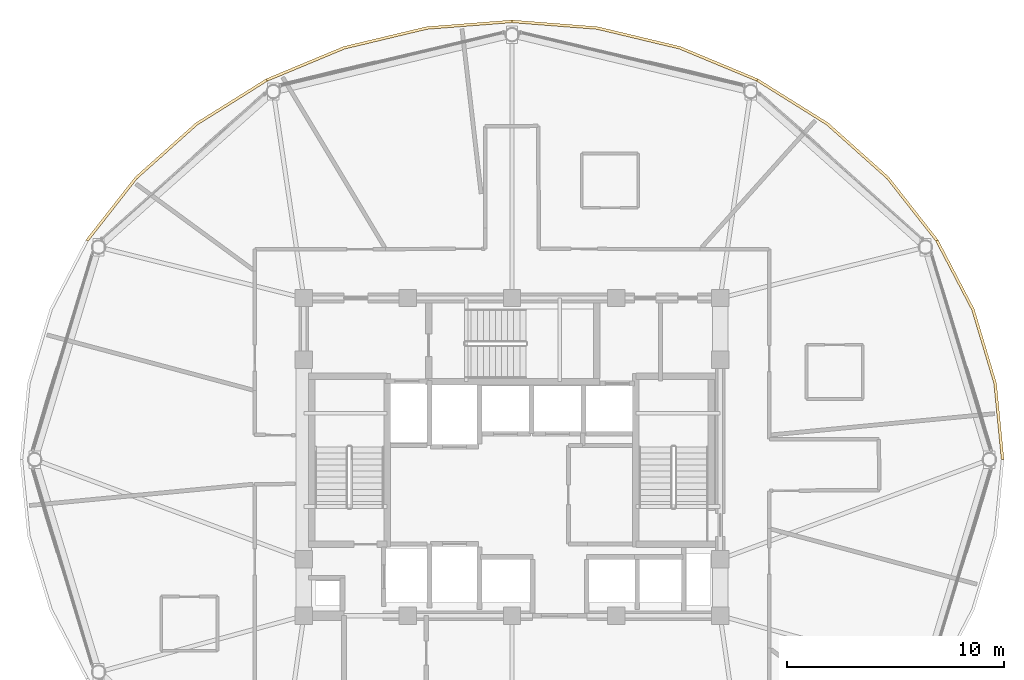
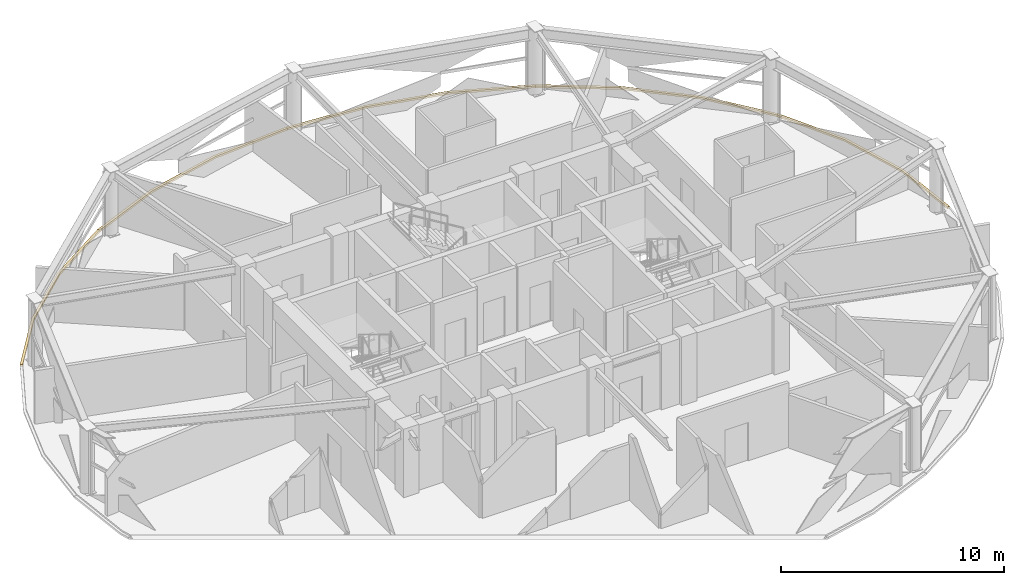
# One storey, part 28 of 28: 5 coverings.
"""IFC4 building model written with IfcOpenShell, lengths in metres."""

from ifc_helpers import new_model, si_unit, direction, frame, origin, place, context, subcontext, project, spatial, polyline, outline, extrude, material, layer, layer_set, type_object, element, save


model = new_model("IFC4")

# Units and contexts
model_context = context("Model", 3, precision=1e-05, world=origin(), true_north=direction((0.0, 1.0)))
body_context = subcontext(model_context, "Body", "Model", "MODEL_VIEW")
ifc_project = project(units=[si_unit("LENGTHUNIT", "METRE"), si_unit("AREAUNIT", "SQUARE_METRE"), si_unit("VOLUMEUNIT", "CUBIC_METRE"), si_unit("PLANEANGLEUNIT", "RADIAN"), si_unit("MASSUNIT", "GRAM", prefix="KILO")], contexts=[model_context])

# Site, building, storey
site_placement = place(None, origin())
site = spatial("IfcSite", under=ifc_project, at=site_placement, CompositionType="ELEMENT")
building_placement = place(site_placement, origin())
building = spatial("IfcBuilding", under=site, at=building_placement, Name="Vantalir Tower", CompositionType="ELEMENT")
storey_placement = place(building_placement, frame((0.0, 0.0, 223.64990234375)))
storey = spatial("IfcBuildingStorey", under=building, at=storey_placement, Name="L56", CompositionType="ELEMENT", Elevation=223.64990234375)

# Coverings
ifc_material = material(Name="Anodised champagne aluminium sill fascia", Category="aluminium")
ifc_layer = layer(ifc_material, 0.125)
ifc_layer_set = layer_set([ifc_layer], Name="Anodised champagne aluminium sill fascia")
covering_type = type_object("IfcCoveringType", Name="COV-SLAB-FASCIA-125", PredefinedType="CLADDING", material=ifc_layer_set)
covering_1_placement = place(storey_placement, frame((0.0, 0.0, -0.179931640625)))
element("IfcCovering", 1, at=covering_1_placement, inside=storey, type_object=covering_type, Name="L56 Perimeter Slab-Edge Sill Fascia 01", PredefinedType="CLADDING", context=body_context, shape_type="SweptSolid", body=[
    extrude(outline(polyline([(54.18798828125, 25.0), (53.843017578125, 28.52001953125), (52.820068359375, 31.93310546875), (51.14794921875, 35.135009765625), (51.0400390625, 35.072998046875), (52.701904296875, 31.889892578125), (53.719970703125, 28.498046875), (54.06298828125, 25.0), (54.18798828125, 25.0)])), origin(), (0.0, 0.0, 1.0), 0.10498046875),
])
covering_2_placement = place(storey_placement, frame((0.0, 0.0, -0.179931640625)))
element("IfcCovering", 2, at=covering_2_placement, inside=storey, type_object=covering_type, Name="L56 Perimeter Slab-Edge Sill Fascia 02", PredefinedType="CLADDING", context=body_context, shape_type="SweptSolid", body=[
    extrude(outline(polyline([(51.14794921875, 35.135009765625), (48.8798828125, 38.030029296875), (46.083984375, 40.528076171875), (42.843994140625, 42.554931640625), (42.781982421875, 42.447021484375), (46.0029296875, 40.43310546875), (48.783935546875, 37.949951171875), (51.0400390625, 35.072998046875), (51.14794921875, 35.135009765625)])), origin(), (0.0, 0.0, 1.0), 0.10498046875),
])
covering_3_placement = place(storey_placement, frame((0.0, 0.0, -0.179931640625)))
element("IfcCovering", 3, at=covering_3_placement, inside=storey, type_object=covering_type, Name="L56 Perimeter Slab-Edge Sill Fascia 03", PredefinedType="CLADDING", context=body_context, shape_type="SweptSolid", body=[
    extrude(outline(polyline([(42.843994140625, 42.554931640625), (39.260009765625, 44.049072265625), (35.43994140625, 44.962890625), (31.5, 45.27099609375), (31.5, 45.14599609375), (35.41796875, 44.840087890625), (39.217041015625, 43.930908203125), (42.781982421875, 42.447021484375), (42.843994140625, 42.554931640625)])), origin(), (0.0, 0.0, 1.0), 0.10498046875),
])
covering_4_placement = place(storey_placement, frame((0.0, 0.0, -0.179931640625)))
element("IfcCovering", 4, at=covering_4_placement, inside=storey, type_object=covering_type, Name="L56 Perimeter Slab-Edge Sill Fascia 04", PredefinedType="CLADDING", context=body_context, shape_type="SweptSolid", body=[
    extrude(outline(polyline([(31.5, 45.27099609375), (27.56005859375, 44.962890625), (23.739990234375, 44.049072265625), (20.156005859375, 42.554931640625), (20.218994140625, 42.447021484375), (23.782958984375, 43.930908203125), (27.58203125, 44.840087890625), (31.5, 45.14599609375), (31.5, 45.27099609375)])), origin(), (0.0, 0.0, 1.0), 0.10498046875),
])
covering_5_placement = place(storey_placement, frame((0.0, 0.0, -0.179931640625)))
element("IfcCovering", 5, at=covering_5_placement, inside=storey, type_object=covering_type, Name="L56 Perimeter Slab-Edge Sill Fascia 05", PredefinedType="CLADDING", context=body_context, shape_type="SweptSolid", body=[
    extrude(outline(polyline([(20.156005859375, 42.554931640625), (16.916015625, 40.528076171875), (14.1201171875, 38.030029296875), (11.85205078125, 35.135009765625), (11.9599609375, 35.072998046875), (14.216064453125, 37.949951171875), (16.9970703125, 40.43310546875), (20.218994140625, 42.447021484375), (20.156005859375, 42.554931640625)])), origin(), (0.0, 0.0, 1.0), 0.10498046875),
])

save(model, "model.ifc")
